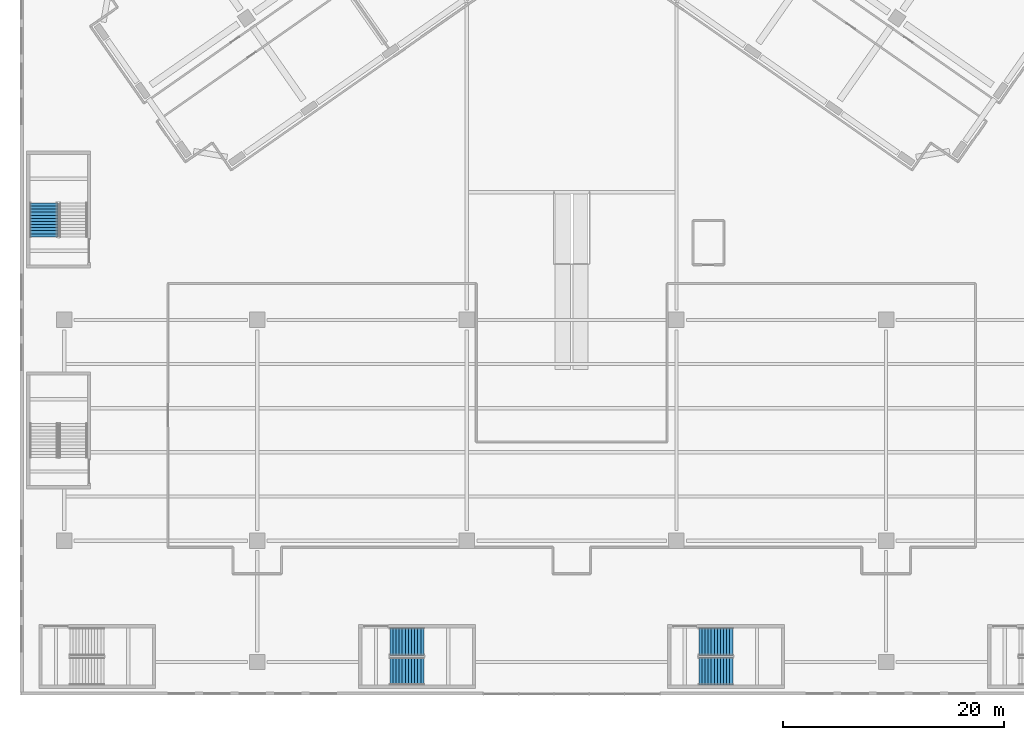
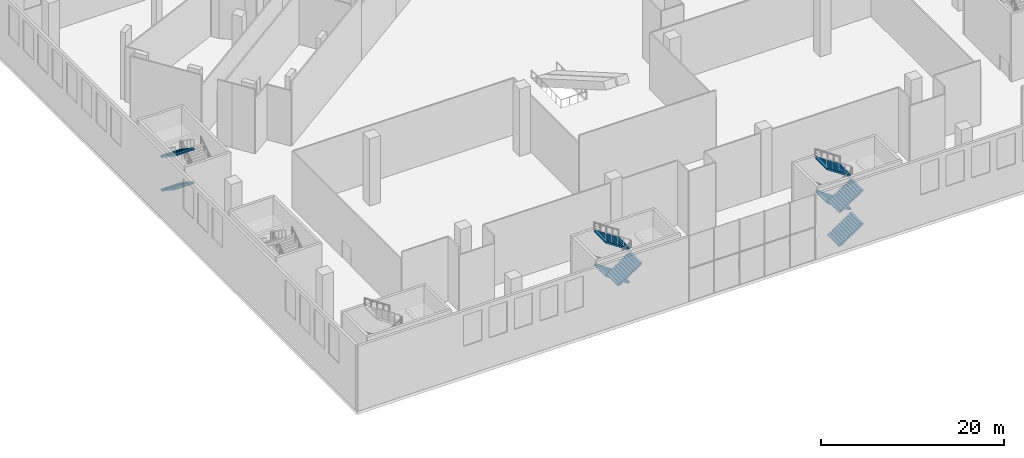
# One storey, part 14 of 27: 9 stair flights, 3 elements without a shape of their own.
"""IFC4 building model written with IfcOpenShell, lengths in metres."""

from ifc_helpers import new_model, si_unit, direction, frame, origin, place, context, subcontext, project, spatial, polyline, outline, extrude, material, type_object, element, aggregate, save


model = new_model("IFC4")

# Units and contexts
model_context = context("Model", 3, precision=1e-05, world=origin(), true_north=direction((0.0, 1.0)))
body_context = subcontext(model_context, "Body", "Model", "MODEL_VIEW")
ifc_project = project(units=[si_unit("LENGTHUNIT", "METRE"), si_unit("AREAUNIT", "SQUARE_METRE"), si_unit("VOLUMEUNIT", "CUBIC_METRE"), si_unit("PLANEANGLEUNIT", "RADIAN"), si_unit("MASSUNIT", "GRAM", prefix="KILO")], contexts=[model_context])

# Site, building, storey
site_placement = place(None, origin())
site = spatial("IfcSite", under=ifc_project, at=site_placement, CompositionType="ELEMENT")
building_placement = place(site_placement, origin())
building = spatial("IfcBuilding", under=site, at=building_placement, Name="Tel Ilan Convention Tower", CompositionType="ELEMENT")
storey_placement = place(building_placement, frame((0.0, 0.0, 9.0)))
storey = spatial("IfcBuildingStorey", under=building, at=storey_placement, Name="L01", CompositionType="ELEMENT", Elevation=9.0)

# Stair, stair flights
ifc_material_1 = material(Name="Concrete C40/50", Category="concrete")
stair_type = type_object("IfcStairType", Name="Pressurised Exit Stair 48 risers 188 mm", PredefinedType="HALF_TURN_STAIR", material=ifc_material_1)
stair_1_placement = place(storey_placement, origin())
stair_1 = element("IfcStair", 1, at=stair_1_placement, inside=storey, type_object=stair_type, Name="L01 Podium Exit Stair P2", PredefinedType="HALF_TURN_STAIR")
ifc_material_2 = material(Name="Precast Concrete C40/50", Category="concrete")
stair_flight_type = type_object("IfcStairFlightType", Name="Concrete Stair Flight 2525 mm 48 risers 188 mm", PredefinedType="STRAIGHT", material=ifc_material_2)
stair_flight_1_placement = place(storey_placement, frame((-13.39501953125, -77.16259765625, 2.25), z_axis=(0.0, 0.0, 1.0), x_axis=(-1.0, 0.0, 0.0)))
stair_flight_1 = element("IfcStairFlight", 2, at=stair_flight_1_placement, type_object=stair_flight_type, Name="P2 flight 2", NumberOfRisers=12, NumberOfTreads=11, PredefinedType="STRAIGHT", RiserHeight=0.1875, TreadLength=0.28, context=body_context, shape_type="SweptSolid", body=[
    extrude(outline(polyline([(0.0, 0.0), (0.0, 0.1875), (0.280029296875, 0.1875), (0.280029296875, 0.375), (0.56005859375, 0.375), (0.56005859375, 0.5625), (0.840087890625, 0.5625), (0.840087890625, 0.75), (1.1201171875, 0.75), (1.1201171875, 0.9375), (1.39990234375, 0.9375), (1.39990234375, 1.125), (1.679931640625, 1.125), (1.679931640625, 1.3125), (1.9599609375, 1.3125), (1.9599609375, 1.5), (2.239990234375, 1.5), (2.239990234375, 1.6875), (2.52001953125, 1.6875), (2.52001953125, 1.875), (2.800048828125, 1.875), (2.800048828125, 2.0625), (3.080078125, 2.0625), (3.080078125, 2.25), (3.080078125, 1.882080078125), (0.26953125, 0.0), (0.0, 0.0)])), frame((0.0, -0.100341796875, 0.0), z_axis=(0.0, -1.0, 0.0), x_axis=(1.0, 0.0, 0.0)), (0.0, 0.0, 1.0), 1.162109375),
    extrude(outline(polyline([(0.0, 0.0), (0.0, 0.1875), (0.280029296875, 0.1875), (0.280029296875, 0.375), (0.56005859375, 0.375), (0.56005859375, 0.5625), (0.840087890625, 0.5625), (0.840087890625, 0.75), (1.1201171875, 0.75), (1.1201171875, 0.9375), (1.39990234375, 0.9375), (1.39990234375, 1.125), (1.679931640625, 1.125), (1.679931640625, 1.3125), (1.9599609375, 1.3125), (1.9599609375, 1.5), (2.239990234375, 1.5), (2.239990234375, 1.6875), (2.52001953125, 1.6875), (2.52001953125, 1.875), (2.800048828125, 1.875), (2.800048828125, 2.0625), (3.080078125, 2.0625), (3.080078125, 2.25), (3.080078125, 1.882080078125), (0.26953125, 0.0), (0.0, 0.0)])), frame((0.0, -0.000244140625, 0.0), z_axis=(0.0, -1.0, 0.0), x_axis=(1.0, 0.0, 0.0)), (0.0, 0.0, 1.0), 0.099609375),
    extrude(outline(polyline([(0.0, 0.0), (0.0, 0.1875), (0.280029296875, 0.1875), (0.280029296875, 0.375), (0.56005859375, 0.375), (0.56005859375, 0.5625), (0.840087890625, 0.5625), (0.840087890625, 0.75), (1.1201171875, 0.75), (1.1201171875, 0.9375), (1.39990234375, 0.9375), (1.39990234375, 1.125), (1.679931640625, 1.125), (1.679931640625, 1.3125), (1.9599609375, 1.3125), (1.9599609375, 1.5), (2.239990234375, 1.5), (2.239990234375, 1.6875), (2.52001953125, 1.6875), (2.52001953125, 1.875), (2.800048828125, 1.875), (2.800048828125, 2.0625), (3.080078125, 2.0625), (3.080078125, 2.25), (3.080078125, 1.882080078125), (0.26953125, 0.0), (0.0, 0.0)])), frame((0.0, 0.099853515625, 0.0), z_axis=(0.0, -1.0, 0.0), x_axis=(1.0, 0.0, 0.0)), (0.0, 0.0, 1.0), 0.099609375),
    extrude(outline(polyline([(0.0, 0.0), (0.0, 0.1875), (0.280029296875, 0.1875), (0.280029296875, 0.375), (0.56005859375, 0.375), (0.56005859375, 0.5625), (0.840087890625, 0.5625), (0.840087890625, 0.75), (1.1201171875, 0.75), (1.1201171875, 0.9375), (1.39990234375, 0.9375), (1.39990234375, 1.125), (1.679931640625, 1.125), (1.679931640625, 1.3125), (1.9599609375, 1.3125), (1.9599609375, 1.5), (2.239990234375, 1.5), (2.239990234375, 1.6875), (2.52001953125, 1.6875), (2.52001953125, 1.875), (2.800048828125, 1.875), (2.800048828125, 2.0625), (3.080078125, 2.0625), (3.080078125, 2.25), (3.080078125, 1.882080078125), (0.26953125, 0.0), (0.0, 0.0)])), frame((0.0, 1.262451171875, 0.0), z_axis=(0.0, -1.0, 0.0), x_axis=(1.0, 0.0, 0.0)), (0.0, 0.0, 1.0), 1.162109375),
])
stair_flight_2_placement = place(storey_placement, frame((-16.47509765625, -79.83740234375, 4.5), z_axis=(0.0, 0.0, 1.0), x_axis=(1.0, 0.0, 0.0)))
stair_flight_2 = element("IfcStairFlight", 3, at=stair_flight_2_placement, type_object=stair_flight_type, Name="P2 flight 3", NumberOfRisers=12, NumberOfTreads=11, PredefinedType="STRAIGHT", RiserHeight=0.1875, TreadLength=0.28, context=body_context, shape_type="SweptSolid", body=[
    extrude(outline(polyline([(0.0, 0.0), (0.0, 0.1875), (0.280029296875, 0.1875), (0.280029296875, 0.375), (0.56005859375, 0.375), (0.56005859375, 0.5625), (0.840087890625, 0.5625), (0.840087890625, 0.75), (1.1201171875, 0.75), (1.1201171875, 0.9375), (1.39990234375, 0.9375), (1.39990234375, 1.125), (1.679931640625, 1.125), (1.679931640625, 1.3125), (1.9599609375, 1.3125), (1.9599609375, 1.5), (2.239990234375, 1.5), (2.239990234375, 1.6875), (2.52001953125, 1.6875), (2.52001953125, 1.875), (2.800048828125, 1.875), (2.800048828125, 2.0625), (3.080078125, 2.0625), (3.080078125, 2.25), (3.080078125, 1.882080078125), (0.26953125, 0.0), (0.0, 0.0)])), frame((0.0, -0.100341796875, 0.0), z_axis=(0.0, -1.0, 0.0), x_axis=(1.0, 0.0, 0.0)), (0.0, 0.0, 1.0), 1.162109375),
    extrude(outline(polyline([(0.0, 0.0), (0.0, 0.1875), (0.280029296875, 0.1875), (0.280029296875, 0.375), (0.56005859375, 0.375), (0.56005859375, 0.5625), (0.840087890625, 0.5625), (0.840087890625, 0.75), (1.1201171875, 0.75), (1.1201171875, 0.9375), (1.39990234375, 0.9375), (1.39990234375, 1.125), (1.679931640625, 1.125), (1.679931640625, 1.3125), (1.9599609375, 1.3125), (1.9599609375, 1.5), (2.239990234375, 1.5), (2.239990234375, 1.6875), (2.52001953125, 1.6875), (2.52001953125, 1.875), (2.800048828125, 1.875), (2.800048828125, 2.0625), (3.080078125, 2.0625), (3.080078125, 2.25), (3.080078125, 1.882080078125), (0.26953125, 0.0), (0.0, 0.0)])), frame((0.0, -0.000244140625, 0.0), z_axis=(0.0, -1.0, 0.0), x_axis=(1.0, 0.0, 0.0)), (0.0, 0.0, 1.0), 0.099609375),
    extrude(outline(polyline([(0.0, 0.0), (0.0, 0.1875), (0.280029296875, 0.1875), (0.280029296875, 0.375), (0.56005859375, 0.375), (0.56005859375, 0.5625), (0.840087890625, 0.5625), (0.840087890625, 0.75), (1.1201171875, 0.75), (1.1201171875, 0.9375), (1.39990234375, 0.9375), (1.39990234375, 1.125), (1.679931640625, 1.125), (1.679931640625, 1.3125), (1.9599609375, 1.3125), (1.9599609375, 1.5), (2.239990234375, 1.5), (2.239990234375, 1.6875), (2.52001953125, 1.6875), (2.52001953125, 1.875), (2.800048828125, 1.875), (2.800048828125, 2.0625), (3.080078125, 2.0625), (3.080078125, 2.25), (3.080078125, 1.882080078125), (0.26953125, 0.0), (0.0, 0.0)])), frame((0.0, 0.099853515625, 0.0), z_axis=(0.0, -1.0, 0.0), x_axis=(1.0, 0.0, 0.0)), (0.0, 0.0, 1.0), 0.099609375),
    extrude(outline(polyline([(0.0, 0.0), (0.0, 0.1875), (0.280029296875, 0.1875), (0.280029296875, 0.375), (0.56005859375, 0.375), (0.56005859375, 0.5625), (0.840087890625, 0.5625), (0.840087890625, 0.75), (1.1201171875, 0.75), (1.1201171875, 0.9375), (1.39990234375, 0.9375), (1.39990234375, 1.125), (1.679931640625, 1.125), (1.679931640625, 1.3125), (1.9599609375, 1.3125), (1.9599609375, 1.5), (2.239990234375, 1.5), (2.239990234375, 1.6875), (2.52001953125, 1.6875), (2.52001953125, 1.875), (2.800048828125, 1.875), (2.800048828125, 2.0625), (3.080078125, 2.0625), (3.080078125, 2.25), (3.080078125, 1.882080078125), (0.26953125, 0.0), (0.0, 0.0)])), frame((0.0, 1.262451171875, 0.0), z_axis=(0.0, -1.0, 0.0), x_axis=(1.0, 0.0, 0.0)), (0.0, 0.0, 1.0), 1.162109375),
])
stair_flight_3_placement = place(storey_placement, frame((-13.39501953125, -77.16259765625, 6.75), z_axis=(0.0, 0.0, 1.0), x_axis=(-1.0, 0.0, 0.0)))
stair_flight_3 = element("IfcStairFlight", 4, at=stair_flight_3_placement, type_object=stair_flight_type, Name="P2 flight 4", NumberOfRisers=12, NumberOfTreads=11, PredefinedType="STRAIGHT", RiserHeight=0.1875, TreadLength=0.28, context=body_context, shape_type="SweptSolid", body=[
    extrude(outline(polyline([(0.0, 0.0), (0.0, 0.1875), (0.280029296875, 0.1875), (0.280029296875, 0.375), (0.56005859375, 0.375), (0.56005859375, 0.5625), (0.840087890625, 0.5625), (0.840087890625, 0.75), (1.1201171875, 0.75), (1.1201171875, 0.9375), (1.39990234375, 0.9375), (1.39990234375, 1.125), (1.679931640625, 1.125), (1.679931640625, 1.3125), (1.9599609375, 1.3125), (1.9599609375, 1.5), (2.239990234375, 1.5), (2.239990234375, 1.6875), (2.52001953125, 1.6875), (2.52001953125, 1.875), (2.800048828125, 1.875), (2.800048828125, 2.0625), (3.080078125, 2.0625), (3.080078125, 2.25), (3.080078125, 1.882080078125), (0.26953125, 0.0), (0.0, 0.0)])), frame((0.0, -0.100341796875, 0.0), z_axis=(0.0, -1.0, 0.0), x_axis=(1.0, 0.0, 0.0)), (0.0, 0.0, 1.0), 1.162109375),
    extrude(outline(polyline([(0.0, 0.0), (0.0, 0.1875), (0.280029296875, 0.1875), (0.280029296875, 0.375), (0.56005859375, 0.375), (0.56005859375, 0.5625), (0.840087890625, 0.5625), (0.840087890625, 0.75), (1.1201171875, 0.75), (1.1201171875, 0.9375), (1.39990234375, 0.9375), (1.39990234375, 1.125), (1.679931640625, 1.125), (1.679931640625, 1.3125), (1.9599609375, 1.3125), (1.9599609375, 1.5), (2.239990234375, 1.5), (2.239990234375, 1.6875), (2.52001953125, 1.6875), (2.52001953125, 1.875), (2.800048828125, 1.875), (2.800048828125, 2.0625), (3.080078125, 2.0625), (3.080078125, 2.25), (3.080078125, 1.882080078125), (0.26953125, 0.0), (0.0, 0.0)])), frame((0.0, -0.000244140625, 0.0), z_axis=(0.0, -1.0, 0.0), x_axis=(1.0, 0.0, 0.0)), (0.0, 0.0, 1.0), 0.099609375),
    extrude(outline(polyline([(0.0, 0.0), (0.0, 0.1875), (0.280029296875, 0.1875), (0.280029296875, 0.375), (0.56005859375, 0.375), (0.56005859375, 0.5625), (0.840087890625, 0.5625), (0.840087890625, 0.75), (1.1201171875, 0.75), (1.1201171875, 0.9375), (1.39990234375, 0.9375), (1.39990234375, 1.125), (1.679931640625, 1.125), (1.679931640625, 1.3125), (1.9599609375, 1.3125), (1.9599609375, 1.5), (2.239990234375, 1.5), (2.239990234375, 1.6875), (2.52001953125, 1.6875), (2.52001953125, 1.875), (2.800048828125, 1.875), (2.800048828125, 2.0625), (3.080078125, 2.0625), (3.080078125, 2.25), (3.080078125, 1.882080078125), (0.26953125, 0.0), (0.0, 0.0)])), frame((0.0, 0.099853515625, 0.0), z_axis=(0.0, -1.0, 0.0), x_axis=(1.0, 0.0, 0.0)), (0.0, 0.0, 1.0), 0.099609375),
    extrude(outline(polyline([(0.0, 0.0), (0.0, 0.1875), (0.280029296875, 0.1875), (0.280029296875, 0.375), (0.56005859375, 0.375), (0.56005859375, 0.5625), (0.840087890625, 0.5625), (0.840087890625, 0.75), (1.1201171875, 0.75), (1.1201171875, 0.9375), (1.39990234375, 0.9375), (1.39990234375, 1.125), (1.679931640625, 1.125), (1.679931640625, 1.3125), (1.9599609375, 1.3125), (1.9599609375, 1.5), (2.239990234375, 1.5), (2.239990234375, 1.6875), (2.52001953125, 1.6875), (2.52001953125, 1.875), (2.800048828125, 1.875), (2.800048828125, 2.0625), (3.080078125, 2.0625), (3.080078125, 2.25), (3.080078125, 1.882080078125), (0.26953125, 0.0), (0.0, 0.0)])), frame((0.0, 1.262451171875, 0.0), z_axis=(0.0, -1.0, 0.0), x_axis=(1.0, 0.0, 0.0)), (0.0, 0.0, 1.0), 1.162109375),
])
aggregate(stair_1, [stair_flight_1, stair_flight_2, stair_flight_3])

stair_2_placement = place(storey_placement, origin())
stair_2 = element("IfcStair", 5, at=stair_2_placement, inside=storey, type_object=stair_type, Name="L01 Podium Exit Stair P3", PredefinedType="HALF_TURN_STAIR")
stair_flight_4_placement = place(storey_placement, frame((11.52490234375, -79.83740234375, 0.0), z_axis=(0.0, 0.0, 1.0), x_axis=(1.0, 0.0, 0.0)))
stair_flight_4 = element("IfcStairFlight", 6, at=stair_flight_4_placement, type_object=stair_flight_type, Name="P3 flight 1", NumberOfRisers=12, NumberOfTreads=11, PredefinedType="STRAIGHT", RiserHeight=0.1875, TreadLength=0.28, context=body_context, shape_type="SweptSolid", body=[
    extrude(outline(polyline([(0.0, 0.0), (0.0, 0.1875), (0.280029296875, 0.1875), (0.280029296875, 0.375), (0.56005859375, 0.375), (0.56005859375, 0.5625), (0.840087890625, 0.5625), (0.840087890625, 0.75), (1.1201171875, 0.75), (1.1201171875, 0.9375), (1.39990234375, 0.9375), (1.39990234375, 1.125), (1.679931640625, 1.125), (1.679931640625, 1.3125), (1.9599609375, 1.3125), (1.9599609375, 1.5), (2.239990234375, 1.5), (2.239990234375, 1.6875), (2.52001953125, 1.6875), (2.52001953125, 1.875), (2.800048828125, 1.875), (2.800048828125, 2.0625), (3.080078125, 2.0625), (3.080078125, 2.25), (3.080078125, 1.882080078125), (0.26953125, 0.0), (0.0, 0.0)])), frame((0.0, -0.100341796875, 0.0), z_axis=(0.0, -1.0, 0.0), x_axis=(1.0, 0.0, 0.0)), (0.0, 0.0, 1.0), 1.162109375),
    extrude(outline(polyline([(0.0, 0.0), (0.0, 0.1875), (0.280029296875, 0.1875), (0.280029296875, 0.375), (0.56005859375, 0.375), (0.56005859375, 0.5625), (0.840087890625, 0.5625), (0.840087890625, 0.75), (1.1201171875, 0.75), (1.1201171875, 0.9375), (1.39990234375, 0.9375), (1.39990234375, 1.125), (1.679931640625, 1.125), (1.679931640625, 1.3125), (1.9599609375, 1.3125), (1.9599609375, 1.5), (2.239990234375, 1.5), (2.239990234375, 1.6875), (2.52001953125, 1.6875), (2.52001953125, 1.875), (2.800048828125, 1.875), (2.800048828125, 2.0625), (3.080078125, 2.0625), (3.080078125, 2.25), (3.080078125, 1.882080078125), (0.26953125, 0.0), (0.0, 0.0)])), frame((0.0, -0.000244140625, 0.0), z_axis=(0.0, -1.0, 0.0), x_axis=(1.0, 0.0, 0.0)), (0.0, 0.0, 1.0), 0.099609375),
    extrude(outline(polyline([(0.0, 0.0), (0.0, 0.1875), (0.280029296875, 0.1875), (0.280029296875, 0.375), (0.56005859375, 0.375), (0.56005859375, 0.5625), (0.840087890625, 0.5625), (0.840087890625, 0.75), (1.1201171875, 0.75), (1.1201171875, 0.9375), (1.39990234375, 0.9375), (1.39990234375, 1.125), (1.679931640625, 1.125), (1.679931640625, 1.3125), (1.9599609375, 1.3125), (1.9599609375, 1.5), (2.239990234375, 1.5), (2.239990234375, 1.6875), (2.52001953125, 1.6875), (2.52001953125, 1.875), (2.800048828125, 1.875), (2.800048828125, 2.0625), (3.080078125, 2.0625), (3.080078125, 2.25), (3.080078125, 1.882080078125), (0.26953125, 0.0), (0.0, 0.0)])), frame((0.0, 0.099853515625, 0.0), z_axis=(0.0, -1.0, 0.0), x_axis=(1.0, 0.0, 0.0)), (0.0, 0.0, 1.0), 0.099609375),
    extrude(outline(polyline([(0.0, 0.0), (0.0, 0.1875), (0.280029296875, 0.1875), (0.280029296875, 0.375), (0.56005859375, 0.375), (0.56005859375, 0.5625), (0.840087890625, 0.5625), (0.840087890625, 0.75), (1.1201171875, 0.75), (1.1201171875, 0.9375), (1.39990234375, 0.9375), (1.39990234375, 1.125), (1.679931640625, 1.125), (1.679931640625, 1.3125), (1.9599609375, 1.3125), (1.9599609375, 1.5), (2.239990234375, 1.5), (2.239990234375, 1.6875), (2.52001953125, 1.6875), (2.52001953125, 1.875), (2.800048828125, 1.875), (2.800048828125, 2.0625), (3.080078125, 2.0625), (3.080078125, 2.25), (3.080078125, 1.882080078125), (0.26953125, 0.0), (0.0, 0.0)])), frame((0.0, 1.262451171875, 0.0), z_axis=(0.0, -1.0, 0.0), x_axis=(1.0, 0.0, 0.0)), (0.0, 0.0, 1.0), 1.162109375),
])
stair_flight_5_placement = place(storey_placement, frame((14.60498046875, -77.16259765625, 2.25), z_axis=(0.0, 0.0, 1.0), x_axis=(-1.0, 0.0, 0.0)))
stair_flight_5 = element("IfcStairFlight", 7, at=stair_flight_5_placement, type_object=stair_flight_type, Name="P3 flight 2", NumberOfRisers=12, NumberOfTreads=11, PredefinedType="STRAIGHT", RiserHeight=0.1875, TreadLength=0.28, context=body_context, shape_type="SweptSolid", body=[
    extrude(outline(polyline([(0.0, 0.0), (0.0, 0.1875), (0.280029296875, 0.1875), (0.280029296875, 0.375), (0.56005859375, 0.375), (0.56005859375, 0.5625), (0.840087890625, 0.5625), (0.840087890625, 0.75), (1.1201171875, 0.75), (1.1201171875, 0.9375), (1.39990234375, 0.9375), (1.39990234375, 1.125), (1.679931640625, 1.125), (1.679931640625, 1.3125), (1.9599609375, 1.3125), (1.9599609375, 1.5), (2.239990234375, 1.5), (2.239990234375, 1.6875), (2.52001953125, 1.6875), (2.52001953125, 1.875), (2.800048828125, 1.875), (2.800048828125, 2.0625), (3.080078125, 2.0625), (3.080078125, 2.25), (3.080078125, 1.882080078125), (0.26953125, 0.0), (0.0, 0.0)])), frame((0.0, -0.100341796875, 0.0), z_axis=(0.0, -1.0, 0.0), x_axis=(1.0, 0.0, 0.0)), (0.0, 0.0, 1.0), 1.162109375),
    extrude(outline(polyline([(0.0, 0.0), (0.0, 0.1875), (0.280029296875, 0.1875), (0.280029296875, 0.375), (0.56005859375, 0.375), (0.56005859375, 0.5625), (0.840087890625, 0.5625), (0.840087890625, 0.75), (1.1201171875, 0.75), (1.1201171875, 0.9375), (1.39990234375, 0.9375), (1.39990234375, 1.125), (1.679931640625, 1.125), (1.679931640625, 1.3125), (1.9599609375, 1.3125), (1.9599609375, 1.5), (2.239990234375, 1.5), (2.239990234375, 1.6875), (2.52001953125, 1.6875), (2.52001953125, 1.875), (2.800048828125, 1.875), (2.800048828125, 2.0625), (3.080078125, 2.0625), (3.080078125, 2.25), (3.080078125, 1.882080078125), (0.26953125, 0.0), (0.0, 0.0)])), frame((0.0, -0.000244140625, 0.0), z_axis=(0.0, -1.0, 0.0), x_axis=(1.0, 0.0, 0.0)), (0.0, 0.0, 1.0), 0.099609375),
    extrude(outline(polyline([(0.0, 0.0), (0.0, 0.1875), (0.280029296875, 0.1875), (0.280029296875, 0.375), (0.56005859375, 0.375), (0.56005859375, 0.5625), (0.840087890625, 0.5625), (0.840087890625, 0.75), (1.1201171875, 0.75), (1.1201171875, 0.9375), (1.39990234375, 0.9375), (1.39990234375, 1.125), (1.679931640625, 1.125), (1.679931640625, 1.3125), (1.9599609375, 1.3125), (1.9599609375, 1.5), (2.239990234375, 1.5), (2.239990234375, 1.6875), (2.52001953125, 1.6875), (2.52001953125, 1.875), (2.800048828125, 1.875), (2.800048828125, 2.0625), (3.080078125, 2.0625), (3.080078125, 2.25), (3.080078125, 1.882080078125), (0.26953125, 0.0), (0.0, 0.0)])), frame((0.0, 0.099853515625, 0.0), z_axis=(0.0, -1.0, 0.0), x_axis=(1.0, 0.0, 0.0)), (0.0, 0.0, 1.0), 0.099609375),
    extrude(outline(polyline([(0.0, 0.0), (0.0, 0.1875), (0.280029296875, 0.1875), (0.280029296875, 0.375), (0.56005859375, 0.375), (0.56005859375, 0.5625), (0.840087890625, 0.5625), (0.840087890625, 0.75), (1.1201171875, 0.75), (1.1201171875, 0.9375), (1.39990234375, 0.9375), (1.39990234375, 1.125), (1.679931640625, 1.125), (1.679931640625, 1.3125), (1.9599609375, 1.3125), (1.9599609375, 1.5), (2.239990234375, 1.5), (2.239990234375, 1.6875), (2.52001953125, 1.6875), (2.52001953125, 1.875), (2.800048828125, 1.875), (2.800048828125, 2.0625), (3.080078125, 2.0625), (3.080078125, 2.25), (3.080078125, 1.882080078125), (0.26953125, 0.0), (0.0, 0.0)])), frame((0.0, 1.262451171875, 0.0), z_axis=(0.0, -1.0, 0.0), x_axis=(1.0, 0.0, 0.0)), (0.0, 0.0, 1.0), 1.162109375),
])
stair_flight_6_placement = place(storey_placement, frame((11.52490234375, -79.83740234375, 4.5), z_axis=(0.0, 0.0, 1.0), x_axis=(1.0, 0.0, 0.0)))
stair_flight_6 = element("IfcStairFlight", 8, at=stair_flight_6_placement, type_object=stair_flight_type, Name="P3 flight 3", NumberOfRisers=12, NumberOfTreads=11, PredefinedType="STRAIGHT", RiserHeight=0.1875, TreadLength=0.28, context=body_context, shape_type="SweptSolid", body=[
    extrude(outline(polyline([(0.0, 0.0), (0.0, 0.1875), (0.280029296875, 0.1875), (0.280029296875, 0.375), (0.56005859375, 0.375), (0.56005859375, 0.5625), (0.840087890625, 0.5625), (0.840087890625, 0.75), (1.1201171875, 0.75), (1.1201171875, 0.9375), (1.39990234375, 0.9375), (1.39990234375, 1.125), (1.679931640625, 1.125), (1.679931640625, 1.3125), (1.9599609375, 1.3125), (1.9599609375, 1.5), (2.239990234375, 1.5), (2.239990234375, 1.6875), (2.52001953125, 1.6875), (2.52001953125, 1.875), (2.800048828125, 1.875), (2.800048828125, 2.0625), (3.080078125, 2.0625), (3.080078125, 2.25), (3.080078125, 1.882080078125), (0.26953125, 0.0), (0.0, 0.0)])), frame((0.0, -0.100341796875, 0.0), z_axis=(0.0, -1.0, 0.0), x_axis=(1.0, 0.0, 0.0)), (0.0, 0.0, 1.0), 1.162109375),
    extrude(outline(polyline([(0.0, 0.0), (0.0, 0.1875), (0.280029296875, 0.1875), (0.280029296875, 0.375), (0.56005859375, 0.375), (0.56005859375, 0.5625), (0.840087890625, 0.5625), (0.840087890625, 0.75), (1.1201171875, 0.75), (1.1201171875, 0.9375), (1.39990234375, 0.9375), (1.39990234375, 1.125), (1.679931640625, 1.125), (1.679931640625, 1.3125), (1.9599609375, 1.3125), (1.9599609375, 1.5), (2.239990234375, 1.5), (2.239990234375, 1.6875), (2.52001953125, 1.6875), (2.52001953125, 1.875), (2.800048828125, 1.875), (2.800048828125, 2.0625), (3.080078125, 2.0625), (3.080078125, 2.25), (3.080078125, 1.882080078125), (0.26953125, 0.0), (0.0, 0.0)])), frame((0.0, -0.000244140625, 0.0), z_axis=(0.0, -1.0, 0.0), x_axis=(1.0, 0.0, 0.0)), (0.0, 0.0, 1.0), 0.099609375),
    extrude(outline(polyline([(0.0, 0.0), (0.0, 0.1875), (0.280029296875, 0.1875), (0.280029296875, 0.375), (0.56005859375, 0.375), (0.56005859375, 0.5625), (0.840087890625, 0.5625), (0.840087890625, 0.75), (1.1201171875, 0.75), (1.1201171875, 0.9375), (1.39990234375, 0.9375), (1.39990234375, 1.125), (1.679931640625, 1.125), (1.679931640625, 1.3125), (1.9599609375, 1.3125), (1.9599609375, 1.5), (2.239990234375, 1.5), (2.239990234375, 1.6875), (2.52001953125, 1.6875), (2.52001953125, 1.875), (2.800048828125, 1.875), (2.800048828125, 2.0625), (3.080078125, 2.0625), (3.080078125, 2.25), (3.080078125, 1.882080078125), (0.26953125, 0.0), (0.0, 0.0)])), frame((0.0, 0.099853515625, 0.0), z_axis=(0.0, -1.0, 0.0), x_axis=(1.0, 0.0, 0.0)), (0.0, 0.0, 1.0), 0.099609375),
    extrude(outline(polyline([(0.0, 0.0), (0.0, 0.1875), (0.280029296875, 0.1875), (0.280029296875, 0.375), (0.56005859375, 0.375), (0.56005859375, 0.5625), (0.840087890625, 0.5625), (0.840087890625, 0.75), (1.1201171875, 0.75), (1.1201171875, 0.9375), (1.39990234375, 0.9375), (1.39990234375, 1.125), (1.679931640625, 1.125), (1.679931640625, 1.3125), (1.9599609375, 1.3125), (1.9599609375, 1.5), (2.239990234375, 1.5), (2.239990234375, 1.6875), (2.52001953125, 1.6875), (2.52001953125, 1.875), (2.800048828125, 1.875), (2.800048828125, 2.0625), (3.080078125, 2.0625), (3.080078125, 2.25), (3.080078125, 1.882080078125), (0.26953125, 0.0), (0.0, 0.0)])), frame((0.0, 1.262451171875, 0.0), z_axis=(0.0, -1.0, 0.0), x_axis=(1.0, 0.0, 0.0)), (0.0, 0.0, 1.0), 1.162109375),
])
stair_flight_7_placement = place(storey_placement, frame((14.60498046875, -77.16259765625, 6.75), z_axis=(0.0, 0.0, 1.0), x_axis=(-1.0, 0.0, 0.0)))
stair_flight_7 = element("IfcStairFlight", 9, at=stair_flight_7_placement, type_object=stair_flight_type, Name="P3 flight 4", NumberOfRisers=12, NumberOfTreads=11, PredefinedType="STRAIGHT", RiserHeight=0.1875, TreadLength=0.28, context=body_context, shape_type="SweptSolid", body=[
    extrude(outline(polyline([(0.0, 0.0), (0.0, 0.1875), (0.280029296875, 0.1875), (0.280029296875, 0.375), (0.56005859375, 0.375), (0.56005859375, 0.5625), (0.840087890625, 0.5625), (0.840087890625, 0.75), (1.1201171875, 0.75), (1.1201171875, 0.9375), (1.39990234375, 0.9375), (1.39990234375, 1.125), (1.679931640625, 1.125), (1.679931640625, 1.3125), (1.9599609375, 1.3125), (1.9599609375, 1.5), (2.239990234375, 1.5), (2.239990234375, 1.6875), (2.52001953125, 1.6875), (2.52001953125, 1.875), (2.800048828125, 1.875), (2.800048828125, 2.0625), (3.080078125, 2.0625), (3.080078125, 2.25), (3.080078125, 1.882080078125), (0.26953125, 0.0), (0.0, 0.0)])), frame((0.0, -0.100341796875, 0.0), z_axis=(0.0, -1.0, 0.0), x_axis=(1.0, 0.0, 0.0)), (0.0, 0.0, 1.0), 1.162109375),
    extrude(outline(polyline([(0.0, 0.0), (0.0, 0.1875), (0.280029296875, 0.1875), (0.280029296875, 0.375), (0.56005859375, 0.375), (0.56005859375, 0.5625), (0.840087890625, 0.5625), (0.840087890625, 0.75), (1.1201171875, 0.75), (1.1201171875, 0.9375), (1.39990234375, 0.9375), (1.39990234375, 1.125), (1.679931640625, 1.125), (1.679931640625, 1.3125), (1.9599609375, 1.3125), (1.9599609375, 1.5), (2.239990234375, 1.5), (2.239990234375, 1.6875), (2.52001953125, 1.6875), (2.52001953125, 1.875), (2.800048828125, 1.875), (2.800048828125, 2.0625), (3.080078125, 2.0625), (3.080078125, 2.25), (3.080078125, 1.882080078125), (0.26953125, 0.0), (0.0, 0.0)])), frame((0.0, -0.000244140625, 0.0), z_axis=(0.0, -1.0, 0.0), x_axis=(1.0, 0.0, 0.0)), (0.0, 0.0, 1.0), 0.099609375),
    extrude(outline(polyline([(0.0, 0.0), (0.0, 0.1875), (0.280029296875, 0.1875), (0.280029296875, 0.375), (0.56005859375, 0.375), (0.56005859375, 0.5625), (0.840087890625, 0.5625), (0.840087890625, 0.75), (1.1201171875, 0.75), (1.1201171875, 0.9375), (1.39990234375, 0.9375), (1.39990234375, 1.125), (1.679931640625, 1.125), (1.679931640625, 1.3125), (1.9599609375, 1.3125), (1.9599609375, 1.5), (2.239990234375, 1.5), (2.239990234375, 1.6875), (2.52001953125, 1.6875), (2.52001953125, 1.875), (2.800048828125, 1.875), (2.800048828125, 2.0625), (3.080078125, 2.0625), (3.080078125, 2.25), (3.080078125, 1.882080078125), (0.26953125, 0.0), (0.0, 0.0)])), frame((0.0, 0.099853515625, 0.0), z_axis=(0.0, -1.0, 0.0), x_axis=(1.0, 0.0, 0.0)), (0.0, 0.0, 1.0), 0.099609375),
    extrude(outline(polyline([(0.0, 0.0), (0.0, 0.1875), (0.280029296875, 0.1875), (0.280029296875, 0.375), (0.56005859375, 0.375), (0.56005859375, 0.5625), (0.840087890625, 0.5625), (0.840087890625, 0.75), (1.1201171875, 0.75), (1.1201171875, 0.9375), (1.39990234375, 0.9375), (1.39990234375, 1.125), (1.679931640625, 1.125), (1.679931640625, 1.3125), (1.9599609375, 1.3125), (1.9599609375, 1.5), (2.239990234375, 1.5), (2.239990234375, 1.6875), (2.52001953125, 1.6875), (2.52001953125, 1.875), (2.800048828125, 1.875), (2.800048828125, 2.0625), (3.080078125, 2.0625), (3.080078125, 2.25), (3.080078125, 1.882080078125), (0.26953125, 0.0), (0.0, 0.0)])), frame((0.0, 1.262451171875, 0.0), z_axis=(0.0, -1.0, 0.0), x_axis=(1.0, 0.0, 0.0)), (0.0, 0.0, 1.0), 1.162109375),
])
aggregate(stair_2, [stair_flight_4, stair_flight_5, stair_flight_6, stair_flight_7])

stair_3_placement = place(storey_placement, origin())
stair_3 = element("IfcStair", 10, at=stair_3_placement, inside=storey, type_object=stair_type, Name="L01 Podium Exit Stair P7", PredefinedType="HALF_TURN_STAIR")
stair_flight_8_placement = place(storey_placement, frame((-47.83740234375, -37.39501953125, 2.25), z_axis=(0.0, 0.0, 1.0), x_axis=(0.0, -1.0, 0.0)))
stair_flight_8 = element("IfcStairFlight", 11, at=stair_flight_8_placement, type_object=stair_flight_type, Name="P7 flight 2", NumberOfRisers=12, NumberOfTreads=11, PredefinedType="STRAIGHT", RiserHeight=0.1875, TreadLength=0.28, context=body_context, shape_type="SweptSolid", body=[
    extrude(outline(polyline([(0.0, 0.0), (0.0, 0.1875), (0.280029296875, 0.1875), (0.280029296875, 0.375), (0.56005859375, 0.375), (0.56005859375, 0.5625), (0.840087890625, 0.5625), (0.840087890625, 0.75), (1.1201171875, 0.75), (1.1201171875, 0.9375), (1.39990234375, 0.9375), (1.39990234375, 1.125), (1.679931640625, 1.125), (1.679931640625, 1.3125), (1.9599609375, 1.3125), (1.9599609375, 1.5), (2.239990234375, 1.5), (2.239990234375, 1.6875), (2.52001953125, 1.6875), (2.52001953125, 1.875), (2.800048828125, 1.875), (2.800048828125, 2.0625), (3.080078125, 2.0625), (3.080078125, 2.25), (3.080078125, 1.882080078125), (0.26953125, 0.0), (0.0, 0.0)])), frame((0.0, -0.100341796875, 0.0), z_axis=(0.0, -1.0, 0.0), x_axis=(1.0, 0.0, 0.0)), (0.0, 0.0, 1.0), 1.162109375),
    extrude(outline(polyline([(0.0, 0.0), (0.0, 0.1875), (0.280029296875, 0.1875), (0.280029296875, 0.375), (0.56005859375, 0.375), (0.56005859375, 0.5625), (0.840087890625, 0.5625), (0.840087890625, 0.75), (1.1201171875, 0.75), (1.1201171875, 0.9375), (1.39990234375, 0.9375), (1.39990234375, 1.125), (1.679931640625, 1.125), (1.679931640625, 1.3125), (1.9599609375, 1.3125), (1.9599609375, 1.5), (2.239990234375, 1.5), (2.239990234375, 1.6875), (2.52001953125, 1.6875), (2.52001953125, 1.875), (2.800048828125, 1.875), (2.800048828125, 2.0625), (3.080078125, 2.0625), (3.080078125, 2.25), (3.080078125, 1.882080078125), (0.26953125, 0.0), (0.0, 0.0)])), frame((0.0, -0.000244140625, 0.0), z_axis=(0.0, -1.0, 0.0), x_axis=(1.0, 0.0, 0.0)), (0.0, 0.0, 1.0), 0.099609375),
    extrude(outline(polyline([(0.0, 0.0), (0.0, 0.1875), (0.280029296875, 0.1875), (0.280029296875, 0.375), (0.56005859375, 0.375), (0.56005859375, 0.5625), (0.840087890625, 0.5625), (0.840087890625, 0.75), (1.1201171875, 0.75), (1.1201171875, 0.9375), (1.39990234375, 0.9375), (1.39990234375, 1.125), (1.679931640625, 1.125), (1.679931640625, 1.3125), (1.9599609375, 1.3125), (1.9599609375, 1.5), (2.239990234375, 1.5), (2.239990234375, 1.6875), (2.52001953125, 1.6875), (2.52001953125, 1.875), (2.800048828125, 1.875), (2.800048828125, 2.0625), (3.080078125, 2.0625), (3.080078125, 2.25), (3.080078125, 1.882080078125), (0.26953125, 0.0), (0.0, 0.0)])), frame((0.0, 0.099853515625, 0.0), z_axis=(0.0, -1.0, 0.0), x_axis=(1.0, 0.0, 0.0)), (0.0, 0.0, 1.0), 0.099609375),
    extrude(outline(polyline([(0.0, 0.0), (0.0, 0.1875), (0.280029296875, 0.1875), (0.280029296875, 0.375), (0.56005859375, 0.375), (0.56005859375, 0.5625), (0.840087890625, 0.5625), (0.840087890625, 0.75), (1.1201171875, 0.75), (1.1201171875, 0.9375), (1.39990234375, 0.9375), (1.39990234375, 1.125), (1.679931640625, 1.125), (1.679931640625, 1.3125), (1.9599609375, 1.3125), (1.9599609375, 1.5), (2.239990234375, 1.5), (2.239990234375, 1.6875), (2.52001953125, 1.6875), (2.52001953125, 1.875), (2.800048828125, 1.875), (2.800048828125, 2.0625), (3.080078125, 2.0625), (3.080078125, 2.25), (3.080078125, 1.882080078125), (0.26953125, 0.0), (0.0, 0.0)])), frame((0.0, 1.262451171875, 0.0), z_axis=(0.0, -1.0, 0.0), x_axis=(1.0, 0.0, 0.0)), (0.0, 0.0, 1.0), 1.162109375),
])
stair_flight_9_placement = place(storey_placement, frame((-47.83740234375, -37.39501953125, 6.75), z_axis=(0.0, 0.0, 1.0), x_axis=(0.0, -1.0, 0.0)))
stair_flight_9 = element("IfcStairFlight", 12, at=stair_flight_9_placement, type_object=stair_flight_type, Name="P7 flight 4", NumberOfRisers=12, NumberOfTreads=11, PredefinedType="STRAIGHT", RiserHeight=0.1875, TreadLength=0.28, context=body_context, shape_type="SweptSolid", body=[
    extrude(outline(polyline([(0.0, 0.0), (0.0, 0.1875), (0.280029296875, 0.1875), (0.280029296875, 0.375), (0.56005859375, 0.375), (0.56005859375, 0.5625), (0.840087890625, 0.5625), (0.840087890625, 0.75), (1.1201171875, 0.75), (1.1201171875, 0.9375), (1.39990234375, 0.9375), (1.39990234375, 1.125), (1.679931640625, 1.125), (1.679931640625, 1.3125), (1.9599609375, 1.3125), (1.9599609375, 1.5), (2.239990234375, 1.5), (2.239990234375, 1.6875), (2.52001953125, 1.6875), (2.52001953125, 1.875), (2.800048828125, 1.875), (2.800048828125, 2.0625), (3.080078125, 2.0625), (3.080078125, 2.25), (3.080078125, 1.882080078125), (0.26953125, 0.0), (0.0, 0.0)])), frame((0.0, -0.100341796875, 0.0), z_axis=(0.0, -1.0, 0.0), x_axis=(1.0, 0.0, 0.0)), (0.0, 0.0, 1.0), 1.162109375),
    extrude(outline(polyline([(0.0, 0.0), (0.0, 0.1875), (0.280029296875, 0.1875), (0.280029296875, 0.375), (0.56005859375, 0.375), (0.56005859375, 0.5625), (0.840087890625, 0.5625), (0.840087890625, 0.75), (1.1201171875, 0.75), (1.1201171875, 0.9375), (1.39990234375, 0.9375), (1.39990234375, 1.125), (1.679931640625, 1.125), (1.679931640625, 1.3125), (1.9599609375, 1.3125), (1.9599609375, 1.5), (2.239990234375, 1.5), (2.239990234375, 1.6875), (2.52001953125, 1.6875), (2.52001953125, 1.875), (2.800048828125, 1.875), (2.800048828125, 2.0625), (3.080078125, 2.0625), (3.080078125, 2.25), (3.080078125, 1.882080078125), (0.26953125, 0.0), (0.0, 0.0)])), frame((0.0, -0.000244140625, 0.0), z_axis=(0.0, -1.0, 0.0), x_axis=(1.0, 0.0, 0.0)), (0.0, 0.0, 1.0), 0.099609375),
    extrude(outline(polyline([(0.0, 0.0), (0.0, 0.1875), (0.280029296875, 0.1875), (0.280029296875, 0.375), (0.56005859375, 0.375), (0.56005859375, 0.5625), (0.840087890625, 0.5625), (0.840087890625, 0.75), (1.1201171875, 0.75), (1.1201171875, 0.9375), (1.39990234375, 0.9375), (1.39990234375, 1.125), (1.679931640625, 1.125), (1.679931640625, 1.3125), (1.9599609375, 1.3125), (1.9599609375, 1.5), (2.239990234375, 1.5), (2.239990234375, 1.6875), (2.52001953125, 1.6875), (2.52001953125, 1.875), (2.800048828125, 1.875), (2.800048828125, 2.0625), (3.080078125, 2.0625), (3.080078125, 2.25), (3.080078125, 1.882080078125), (0.26953125, 0.0), (0.0, 0.0)])), frame((0.0, 0.099853515625, 0.0), z_axis=(0.0, -1.0, 0.0), x_axis=(1.0, 0.0, 0.0)), (0.0, 0.0, 1.0), 0.099609375),
    extrude(outline(polyline([(0.0, 0.0), (0.0, 0.1875), (0.280029296875, 0.1875), (0.280029296875, 0.375), (0.56005859375, 0.375), (0.56005859375, 0.5625), (0.840087890625, 0.5625), (0.840087890625, 0.75), (1.1201171875, 0.75), (1.1201171875, 0.9375), (1.39990234375, 0.9375), (1.39990234375, 1.125), (1.679931640625, 1.125), (1.679931640625, 1.3125), (1.9599609375, 1.3125), (1.9599609375, 1.5), (2.239990234375, 1.5), (2.239990234375, 1.6875), (2.52001953125, 1.6875), (2.52001953125, 1.875), (2.800048828125, 1.875), (2.800048828125, 2.0625), (3.080078125, 2.0625), (3.080078125, 2.25), (3.080078125, 1.882080078125), (0.26953125, 0.0), (0.0, 0.0)])), frame((0.0, 1.262451171875, 0.0), z_axis=(0.0, -1.0, 0.0), x_axis=(1.0, 0.0, 0.0)), (0.0, 0.0, 1.0), 1.162109375),
])
aggregate(stair_3, [stair_flight_8, stair_flight_9])

save(model, "model.ifc")
